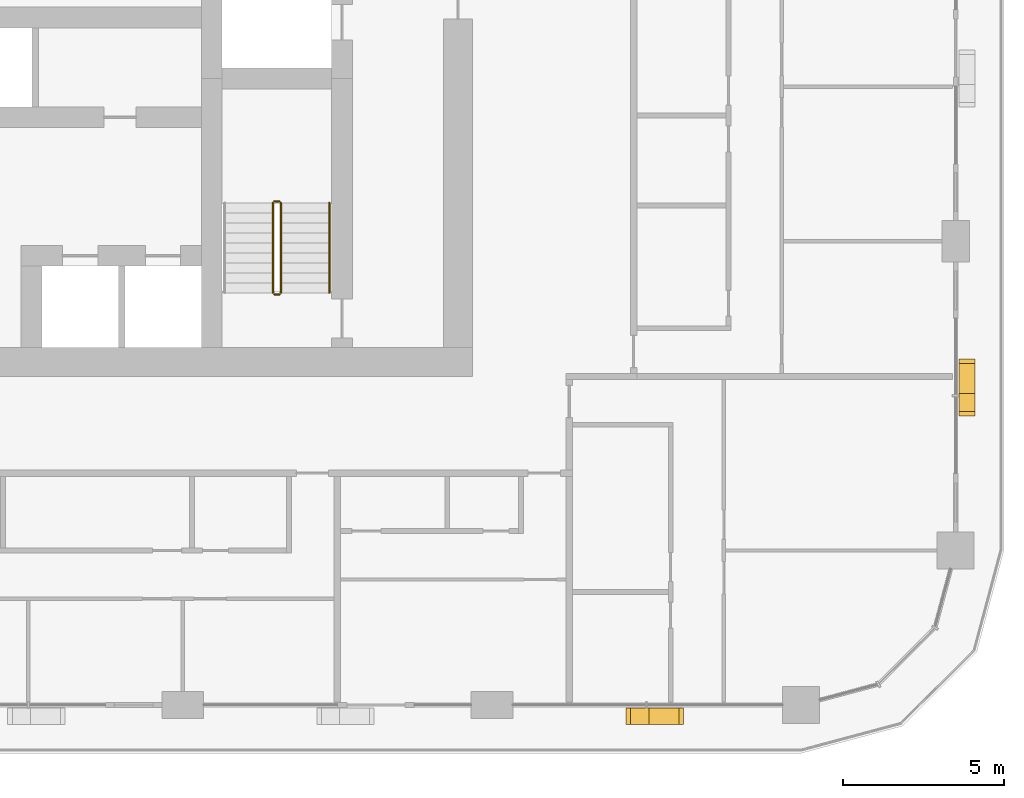
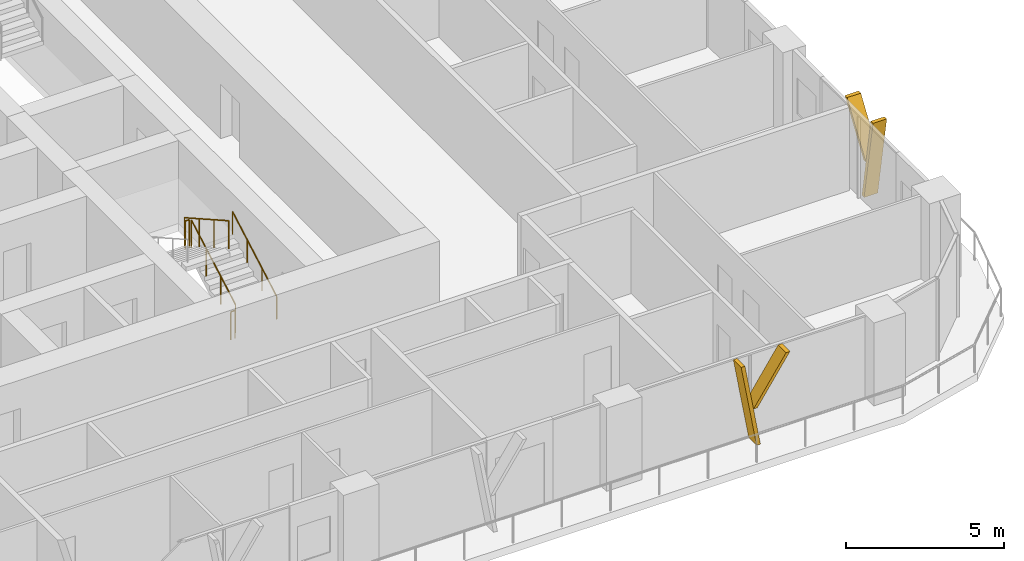
# One storey, part 18 of 21: 5 railings, 4 shading devices.
"""IFC4 building model written with IfcOpenShell, lengths in metres."""

from ifc_helpers import new_model, si_unit, direction, frame, origin, origin_2d, place, context, subcontext, project, spatial, polyline, circle, outline, extrude, material, type_object, element, save


model = new_model("IFC4")

# Units and contexts
model_context = context("Model", 3, precision=1e-05, world=origin(), true_north=direction((0.0, 1.0)))
body_context = subcontext(model_context, "Body", "Model", "MODEL_VIEW")
ifc_project = project(units=[si_unit("LENGTHUNIT", "METRE"), si_unit("AREAUNIT", "SQUARE_METRE"), si_unit("VOLUMEUNIT", "CUBIC_METRE"), si_unit("PLANEANGLEUNIT", "RADIAN"), si_unit("MASSUNIT", "GRAM", prefix="KILO")], contexts=[model_context])

# Site, building, storey
site_placement = place(None, origin())
site = spatial("IfcSite", under=ifc_project, at=site_placement, CompositionType="ELEMENT")
building_placement = place(site_placement, origin())
building = spatial("IfcBuilding", under=site, at=building_placement, Name="Madar Terraces", CompositionType="ELEMENT")
storey_placement = place(building_placement, frame((0.0, 0.0, 96.199951171875)))
storey = spatial("IfcBuildingStorey", under=building, at=storey_placement, Name="L24", CompositionType="ELEMENT", Elevation=96.199951171875)

# Shading devices
ifc_material_1 = material(Name="Aluminium, black anodised", Category="aluminium")
shading_device_type = type_object("IfcShadingDeviceType", Name="Facade fin blade 140 x 500", PredefinedType="USERDEFINED", material=ifc_material_1)
shading_device_1_placement = place(storey_placement, frame((52.72998046875, 4.449951171875, 0.0), z_axis=(0.0, 0.0, 1.0), x_axis=(1.0, 0.0, 0.0)))
element("IfcShadingDevice", 1, at=shading_device_1_placement, inside=storey, type_object=shading_device_type, Name="FIN L24 S5", ObjectType="FIN", PredefinedType="USERDEFINED", context=body_context, shape_type="SweptSolid", body=[
    extrude(outline(polyline([(0.0, 0.0), (0.14013671875, 0.0), (-0.42431640625, 3.199951171875), (-0.564208984375, 3.199951171875), (0.0, 0.0)])), frame((0.0, 0.25, 0.0), z_axis=(0.0, -1.0, 0.0), x_axis=(1.0, 0.0, 0.0)), (0.0, 0.0, 1.0), 0.5),
])
shading_device_2_placement = place(storey_placement, frame((52.6162109375, 4.449951171875, 1.43994140625), z_axis=(0.0, 0.0, 1.0), x_axis=(1.0, 0.0, 0.0)))
element("IfcShadingDevice", 2, at=shading_device_2_placement, inside=storey, type_object=shading_device_type, Name="FIN L24 S5 branch", ObjectType="FIN", PredefinedType="USERDEFINED", context=body_context, shape_type="SweptSolid", body=[
    extrude(outline(polyline([(0.0, 0.0), (0.139892578125, 0.0), (1.32958984375, 1.760009765625), (1.189697265625, 1.760009765625), (0.0, 0.0)])), frame((0.0, 0.25, 0.0), z_axis=(0.0, -1.0, 0.0), x_axis=(1.0, 0.0, 0.0)), (0.0, 0.0, 1.0), 0.5),
])
shading_device_3_placement = place(storey_placement, frame((62.75, 14.330078125, 0.0), z_axis=(0.0, 0.0, 1.0), x_axis=(0.0, 1.0, 0.0)))
element("IfcShadingDevice", 3, at=shading_device_3_placement, inside=storey, type_object=shading_device_type, Name="FIN L24 E1", ObjectType="FIN", PredefinedType="USERDEFINED", context=body_context, shape_type="SweptSolid", body=[
    extrude(outline(polyline([(0.0, 0.0), (0.139892578125, 0.0), (-0.42431640625, 3.199951171875), (-0.564208984375, 3.199951171875), (0.0, 0.0)])), frame((0.0, 0.25, 0.0), z_axis=(0.0, -1.0, 0.0), x_axis=(1.0, 0.0, 0.0)), (0.0, 0.0, 1.0), 0.5),
])
shading_device_4_placement = place(storey_placement, frame((62.75, 14.216064453125, 1.43994140625), z_axis=(0.0, 0.0, 1.0), x_axis=(0.0, 1.0, 0.0)))
element("IfcShadingDevice", 4, at=shading_device_4_placement, inside=storey, type_object=shading_device_type, Name="FIN L24 E1 branch", ObjectType="FIN", PredefinedType="USERDEFINED", context=body_context, shape_type="SweptSolid", body=[
    extrude(outline(polyline([(0.0, 0.0), (0.14013671875, 0.0), (1.32958984375, 1.760009765625), (1.189697265625, 1.760009765625), (0.0, 0.0)])), frame((0.0, 0.25, 0.0), z_axis=(0.0, -1.0, 0.0), x_axis=(1.0, 0.0, 0.0)), (0.0, 0.0, 1.0), 0.5),
])

# Railings
ifc_material_2 = material(Name="Stainless steel railing", Category="steel")
railing_type_1 = type_object("IfcRailingType", Name="Stair guard 1100", PredefinedType="GUARDRAIL", material=ifc_material_2)
railing_1_placement = place(storey_placement, frame((41.449951171875, 17.60009765625, 0.175048828125)))
element("IfcRailing", 5, at=railing_1_placement, inside=storey, type_object=railing_type_1, Name="L24 ST3 stair guard 1", PredefinedType="GUARDRAIL", context=body_context, shape_type="SweptSolid", body=[
    extrude(circle(Radius=0.02392578125, at=origin_2d()), frame((0.0, 0.0, 1.076171875), z_axis=(0.0, 0.870815363784, 0.491610213684), x_axis=(-1.0, 0.0, 0.0)), (0.0, 0.0, 1.0), 3.20361328125),
    extrude(circle(Radius=0.02099609375, at=origin_2d()), origin(), (0.0, 0.0, 1.0), 1.052001953125),
    extrude(circle(Radius=0.02099609375, at=origin_2d()), frame((0.0, 0.929931640625, 0.52490234375)), (0.0, 0.0, 1.0), 1.052001953125),
    extrude(circle(Radius=0.02099609375, at=origin_2d()), frame((0.0, 1.85986328125, 1.050048828125)), (0.0, 0.0, 1.0), 1.052001953125),
    extrude(circle(Radius=0.02099609375, at=origin_2d()), frame((0.0, 2.789794921875, 1.574951171875)), (0.0, 0.0, 1.0), 1.052001953125),
])
railing_2_placement = place(storey_placement, frame((41.39990234375, 20.43994140625, 1.75)))
element("IfcRailing", 6, at=railing_2_placement, inside=storey, type_object=railing_type_1, Name="L24 ST3 stair guard 2", PredefinedType="GUARDRAIL", context=body_context, shape_type="SweptSolid", body=[
    extrude(circle(Radius=0.02392578125, at=origin_2d()), frame((0.0, 0.0, 1.076171875), z_axis=(-1.0, 0.0, 0.0), x_axis=(0.0, -1.0, 0.0)), (0.0, 0.0, 1.0), 0.14990234375),
    extrude(circle(Radius=0.02099609375, at=origin_2d()), origin(), (0.0, 0.0, 1.0), 1.052001953125),
    extrude(circle(Radius=0.02099609375, at=origin_2d()), frame((-0.14990234375, 0.0, 0.0)), (0.0, 0.0, 1.0), 1.052001953125),
])
railing_3_placement = place(storey_placement, frame((41.199951171875, 20.389892578125, 1.925048828125)))
element("IfcRailing", 7, at=railing_3_placement, inside=storey, type_object=railing_type_1, Name="L24 ST3 stair guard 3", PredefinedType="GUARDRAIL", context=body_context, shape_type="SweptSolid", body=[
    extrude(circle(Radius=0.02392578125, at=origin_2d()), frame((0.0, 0.0, 1.076171875), z_axis=(0.0, -0.870815363784, 0.491610213684), x_axis=(1.0, 0.0, 0.0)), (0.0, 0.0, 1.0), 3.20361328125),
    extrude(circle(Radius=0.02099609375, at=origin_2d()), origin(), (0.0, 0.0, 1.0), 1.052001953125),
    extrude(circle(Radius=0.02099609375, at=origin_2d()), frame((0.0, -0.929931640625, 0.52490234375)), (0.0, 0.0, 1.0), 1.052001953125),
    extrude(circle(Radius=0.02099609375, at=origin_2d()), frame((0.0, -1.85986328125, 1.050048828125)), (0.0, 0.0, 1.0), 1.052001953125),
    extrude(circle(Radius=0.02099609375, at=origin_2d()), frame((0.0, -2.789794921875, 1.574951171875)), (0.0, 0.0, 1.0), 1.052001953125),
])
railing_4_placement = place(storey_placement, frame((41.39990234375, 17.550048828125, 0.0)))
element("IfcRailing", 8, at=railing_4_placement, inside=storey, type_object=railing_type_1, Name="L24 ST3 stair guard 4", PredefinedType="GUARDRAIL", context=body_context, shape_type="SweptSolid", body=[
    extrude(circle(Radius=0.02392578125, at=origin_2d()), frame((0.0, 0.0, 1.076171875), z_axis=(-1.0, 0.0, 0.0), x_axis=(0.0, -1.0, 0.0)), (0.0, 0.0, 1.0), 0.14990234375),
    extrude(circle(Radius=0.02099609375, at=origin_2d()), origin(), (0.0, 0.0, 1.0), 1.052001953125),
    extrude(circle(Radius=0.02099609375, at=origin_2d()), frame((-0.14990234375, 0.0, 0.0)), (0.0, 0.0, 1.0), 1.052001953125),
])
ifc_material_3 = material(Name="Stainless steel railing", Category="steel")
railing_type_2 = type_object("IfcRailingType", Name="Stair handrail 900", PredefinedType="HANDRAIL", material=ifc_material_3)
railing_5_placement = place(storey_placement, frame((42.949951171875, 17.60009765625, 0.175048828125)))
element("IfcRailing", 9, at=railing_5_placement, inside=storey, type_object=railing_type_2, Name="L24 ST3 stair handrail 1", PredefinedType="HANDRAIL", context=body_context, shape_type="SweptSolid", body=[
    extrude(circle(Radius=0.02392578125, at=origin_2d()), frame((0.0, 0.0, 0.8759765625), z_axis=(0.0, 0.870815363784, 0.491610213684), x_axis=(-1.0, 0.0, 0.0)), (0.0, 0.0, 1.0), 3.20361328125),
    extrude(circle(Radius=0.02099609375, at=origin_2d()), origin(), (0.0, 0.0, 1.0), 0.851806640625),
    extrude(circle(Radius=0.02099609375, at=origin_2d()), frame((0.0, 0.929931640625, 0.52490234375)), (0.0, 0.0, 1.0), 0.851806640625),
    extrude(circle(Radius=0.02099609375, at=origin_2d()), frame((0.0, 1.85986328125, 1.050048828125)), (0.0, 0.0, 1.0), 0.851806640625),
    extrude(circle(Radius=0.02099609375, at=origin_2d()), frame((0.0, 2.789794921875, 1.574951171875)), (0.0, 0.0, 1.0), 0.851806640625),
])

save(model, "model.ifc")
